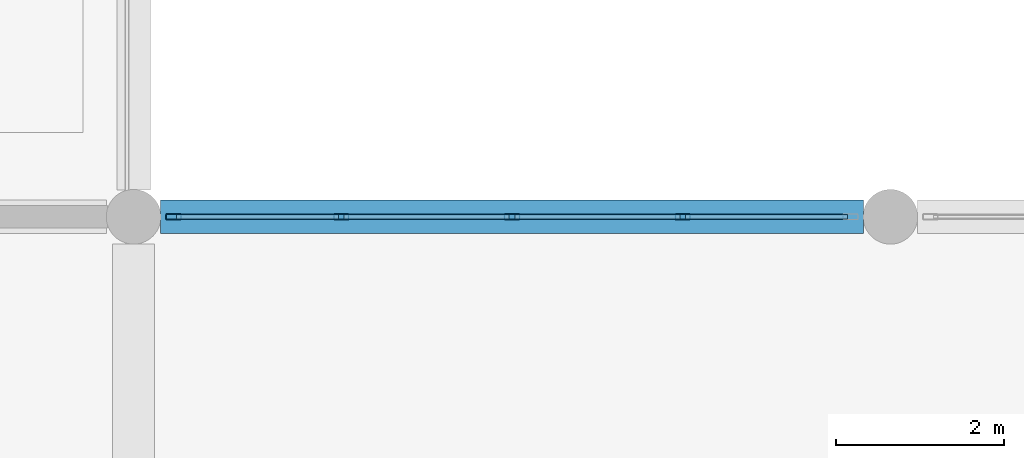
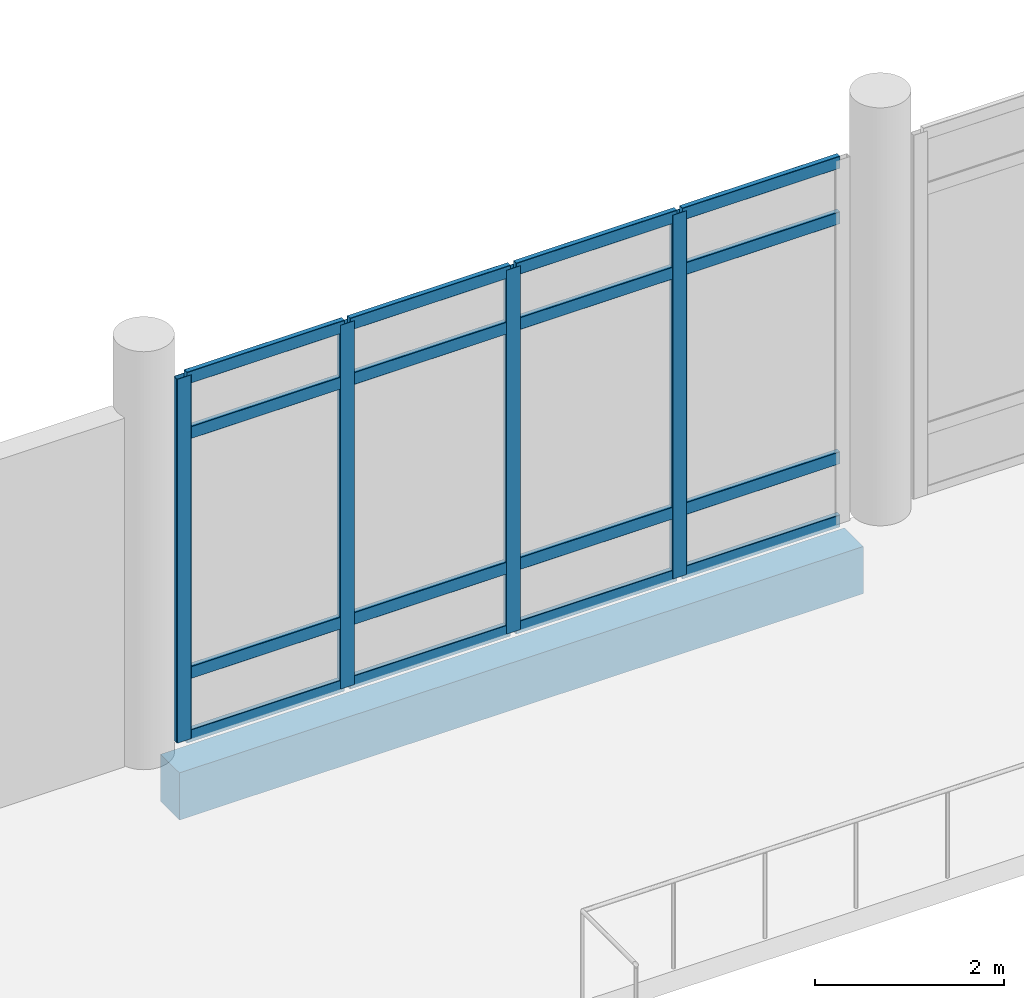
# One storey, part 37 of 180: 20 members, 1 beam, 1 element without a shape of its own.
"""IFC4 building model written with IfcOpenShell, lengths in metres."""

from ifc_helpers import new_model, si_unit, direction, frame, origin, origin_2d, place, context, subcontext, project, spatial, rectangle, hollow_rectangle, extrude, material, material_profile, profile_set, type_object, element, aggregate, save


model = new_model("IFC4")

# Units and contexts
model_context = context("Model", 3, precision=1e-05, world=origin(), true_north=direction((0.0, 1.0)))
body_context = subcontext(model_context, "Body", "Model", "MODEL_VIEW")
ifc_project = project(units=[si_unit("LENGTHUNIT", "METRE"), si_unit("AREAUNIT", "SQUARE_METRE"), si_unit("VOLUMEUNIT", "CUBIC_METRE"), si_unit("PLANEANGLEUNIT", "RADIAN"), si_unit("MASSUNIT", "GRAM", prefix="KILO")], contexts=[model_context])

# Site, building, storey
site_placement = place(None, origin())
site = spatial("IfcSite", under=ifc_project, at=site_placement, CompositionType="ELEMENT")
building_placement = place(site_placement, origin())
building = spatial("IfcBuilding", under=site, at=building_placement, Name="Lusvemor Sports Hall", CompositionType="ELEMENT")
storey_placement = place(building_placement, frame((0.0, 0.0, 5.39990234375)))
storey = spatial("IfcBuildingStorey", under=building, at=storey_placement, Name="L01", CompositionType="ELEMENT", Elevation=5.39990234375)

# Curtain wall, members
ifc_material_1 = material(Name="Thermally broken bronze-anodized aluminium", Category="aluminium")
curtain_wall_type = type_object("IfcCurtainWallType", Name="CW_FOYER_A", PredefinedType="NOTDEFINED", material=ifc_material_1)
curtain_wall_placement = place(storey_placement, origin())
curtain_wall = element("IfcCurtainWall", 1, at=curtain_wall_placement, inside=storey, type_object=curtain_wall_type, Name="Curtain Wall CW-V4N-L01-1", PredefinedType="NOTDEFINED")
ifc_material_2 = material(Name="Thermally broken bronze-anodized aluminium", Category="aluminium")
ifc_material_profile_1 = material_profile(ifc_material_2, hollow_rectangle(XDim=0.070068359375, YDim=0.179931640625, WallThickness=0.0048828125, InnerFilletRadius=0.0048828125, OuterFilletRadius=0.010009765625, at=origin_2d()), Name="CWMUL180x70x5")
ifc_profile_set_1 = profile_set([ifc_material_profile_1], Name="Thermally broken bronze-anodized aluminium")
member_type_1 = type_object("IfcMemberType", Name="CW_MUL_A", PredefinedType="MULLION", material=ifc_profile_set_1)
member_1_placement = place(storey_placement, frame((85.074951171875, 28.800048828125, 0.0), z_axis=(0.0, 0.0, 1.0), x_axis=(0.0, 1.0, 0.0)))
member_1 = element("IfcMember", 2, at=member_1_placement, type_object=member_type_1, Name="CW01 mullion 1", PredefinedType="MULLION", context=body_context, shape_type="SweptSolid", body=[
    extrude(hollow_rectangle(XDim=0.070068359375, YDim=0.179931640625, WallThickness=0.0048828125, InnerFilletRadius=0.0048828125, OuterFilletRadius=0.010009765625, at=origin_2d()), origin(), (0.0, 0.0, 1.0), 4.7001953125),
])
member_2_placement = place(storey_placement, frame((87.070068359375, 28.800048828125, 0.0), z_axis=(0.0, 0.0, 1.0), x_axis=(0.0, 1.0, 0.0)))
member_2 = element("IfcMember", 3, at=member_2_placement, type_object=member_type_1, Name="CW01 mullion 2", PredefinedType="MULLION", context=body_context, shape_type="SweptSolid", body=[
    extrude(hollow_rectangle(XDim=0.070068359375, YDim=0.179931640625, WallThickness=0.0048828125, InnerFilletRadius=0.0048828125, OuterFilletRadius=0.010009765625, at=origin_2d()), origin(), (0.0, 0.0, 1.0), 4.7001953125),
])
member_3_placement = place(storey_placement, frame((89.10009765625, 28.800048828125, 0.0), z_axis=(0.0, 0.0, 1.0), x_axis=(0.0, 1.0, 0.0)))
member_3 = element("IfcMember", 4, at=member_3_placement, type_object=member_type_1, Name="CW01 mullion 3", PredefinedType="MULLION", context=body_context, shape_type="SweptSolid", body=[
    extrude(hollow_rectangle(XDim=0.070068359375, YDim=0.179931640625, WallThickness=0.0048828125, InnerFilletRadius=0.0048828125, OuterFilletRadius=0.010009765625, at=origin_2d()), origin(), (0.0, 0.0, 1.0), 4.7001953125),
])
member_4_placement = place(storey_placement, frame((91.1298828125, 28.800048828125, 0.0), z_axis=(0.0, 0.0, 1.0), x_axis=(0.0, 1.0, 0.0)))
member_4 = element("IfcMember", 5, at=member_4_placement, type_object=member_type_1, Name="CW01 mullion 4", PredefinedType="MULLION", context=body_context, shape_type="SweptSolid", body=[
    extrude(hollow_rectangle(XDim=0.070068359375, YDim=0.179931640625, WallThickness=0.0048828125, InnerFilletRadius=0.0048828125, OuterFilletRadius=0.010009765625, at=origin_2d()), origin(), (0.0, 0.0, 1.0), 4.7001953125),
])
ifc_material_3 = material(Name="Thermally broken bronze-anodized aluminium", Category="aluminium")
ifc_material_profile_2 = material_profile(ifc_material_3, hollow_rectangle(XDim=0.06494140625, YDim=0.159912109375, WallThickness=0.00390625, InnerFilletRadius=0.00390625, OuterFilletRadius=0.008056640625, at=origin_2d()), Name="CWTRN160x65x4")
ifc_profile_set_2 = profile_set([ifc_material_profile_2], Name="Thermally broken bronze-anodized aluminium")
member_type_2 = type_object("IfcMemberType", Name="CW_TRN_A", PredefinedType="USERDEFINED", material=ifc_profile_set_2)
member_5_placement = place(storey_placement, frame((85.110107421875, 28.800048828125, 0.03271484375), z_axis=(1.0, 0.0, 0.0), x_axis=(0.0, 1.0, 0.0)))
member_5 = element("IfcMember", 6, at=member_5_placement, type_object=member_type_2, Name="CW01 transom 1.1", ObjectType="TRANSOM", PredefinedType="USERDEFINED", context=body_context, shape_type="SweptSolid", body=[
    extrude(hollow_rectangle(XDim=0.06494140625, YDim=0.159912109375, WallThickness=0.00390625, InnerFilletRadius=0.00390625, OuterFilletRadius=0.008056640625, at=origin_2d()), origin(), (0.0, 0.0, 1.0), 1.9248046875),
])
member_6_placement = place(storey_placement, frame((85.110107421875, 28.800048828125, 0.85009765625), z_axis=(1.0, 0.0, 0.0), x_axis=(0.0, 1.0, 0.0)))
member_6 = element("IfcMember", 7, at=member_6_placement, type_object=member_type_2, Name="CW01 transom 1.2", ObjectType="TRANSOM", PredefinedType="USERDEFINED", context=body_context, shape_type="SweptSolid", body=[
    extrude(hollow_rectangle(XDim=0.06494140625, YDim=0.159912109375, WallThickness=0.00390625, InnerFilletRadius=0.00390625, OuterFilletRadius=0.008056640625, at=origin_2d()), origin(), (0.0, 0.0, 1.0), 1.9248046875),
])
member_7_placement = place(storey_placement, frame((85.110107421875, 28.800048828125, 3.9501953125), z_axis=(1.0, 0.0, 0.0), x_axis=(0.0, 1.0, 0.0)))
member_7 = element("IfcMember", 8, at=member_7_placement, type_object=member_type_2, Name="CW01 transom 1.3", ObjectType="TRANSOM", PredefinedType="USERDEFINED", context=body_context, shape_type="SweptSolid", body=[
    extrude(hollow_rectangle(XDim=0.06494140625, YDim=0.159912109375, WallThickness=0.00390625, InnerFilletRadius=0.00390625, OuterFilletRadius=0.008056640625, at=origin_2d()), origin(), (0.0, 0.0, 1.0), 1.9248046875),
])
member_8_placement = place(storey_placement, frame((85.110107421875, 28.800048828125, 4.66748046875), z_axis=(1.0, 0.0, 0.0), x_axis=(0.0, 1.0, 0.0)))
member_8 = element("IfcMember", 9, at=member_8_placement, type_object=member_type_2, Name="CW01 transom 1.4", ObjectType="TRANSOM", PredefinedType="USERDEFINED", context=body_context, shape_type="SweptSolid", body=[
    extrude(hollow_rectangle(XDim=0.06494140625, YDim=0.159912109375, WallThickness=0.00390625, InnerFilletRadius=0.00390625, OuterFilletRadius=0.008056640625, at=origin_2d()), origin(), (0.0, 0.0, 1.0), 1.9248046875),
])
member_9_placement = place(storey_placement, frame((87.10498046875, 28.800048828125, 0.03271484375), z_axis=(1.0, 0.0, 0.0), x_axis=(0.0, 1.0, 0.0)))
member_9 = element("IfcMember", 10, at=member_9_placement, type_object=member_type_2, Name="CW01 transom 2.1", ObjectType="TRANSOM", PredefinedType="USERDEFINED", context=body_context, shape_type="SweptSolid", body=[
    extrude(hollow_rectangle(XDim=0.06494140625, YDim=0.159912109375, WallThickness=0.00390625, InnerFilletRadius=0.00390625, OuterFilletRadius=0.008056640625, at=origin_2d()), origin(), (0.0, 0.0, 1.0), 1.9599609375),
])
member_10_placement = place(storey_placement, frame((87.10498046875, 28.800048828125, 0.85009765625), z_axis=(1.0, 0.0, 0.0), x_axis=(0.0, 1.0, 0.0)))
member_10 = element("IfcMember", 11, at=member_10_placement, type_object=member_type_2, Name="CW01 transom 2.2", ObjectType="TRANSOM", PredefinedType="USERDEFINED", context=body_context, shape_type="SweptSolid", body=[
    extrude(hollow_rectangle(XDim=0.06494140625, YDim=0.159912109375, WallThickness=0.00390625, InnerFilletRadius=0.00390625, OuterFilletRadius=0.008056640625, at=origin_2d()), origin(), (0.0, 0.0, 1.0), 1.9599609375),
])
member_11_placement = place(storey_placement, frame((87.10498046875, 28.800048828125, 3.9501953125), z_axis=(1.0, 0.0, 0.0), x_axis=(0.0, 1.0, 0.0)))
member_11 = element("IfcMember", 12, at=member_11_placement, type_object=member_type_2, Name="CW01 transom 2.3", ObjectType="TRANSOM", PredefinedType="USERDEFINED", context=body_context, shape_type="SweptSolid", body=[
    extrude(hollow_rectangle(XDim=0.06494140625, YDim=0.159912109375, WallThickness=0.00390625, InnerFilletRadius=0.00390625, OuterFilletRadius=0.008056640625, at=origin_2d()), origin(), (0.0, 0.0, 1.0), 1.9599609375),
])
member_12_placement = place(storey_placement, frame((87.10498046875, 28.800048828125, 4.66748046875), z_axis=(1.0, 0.0, 0.0), x_axis=(0.0, 1.0, 0.0)))
member_12 = element("IfcMember", 13, at=member_12_placement, type_object=member_type_2, Name="CW01 transom 2.4", ObjectType="TRANSOM", PredefinedType="USERDEFINED", context=body_context, shape_type="SweptSolid", body=[
    extrude(hollow_rectangle(XDim=0.06494140625, YDim=0.159912109375, WallThickness=0.00390625, InnerFilletRadius=0.00390625, OuterFilletRadius=0.008056640625, at=origin_2d()), origin(), (0.0, 0.0, 1.0), 1.9599609375),
])
member_13_placement = place(storey_placement, frame((89.135009765625, 28.800048828125, 0.03271484375), z_axis=(1.0, 0.0, 0.0), x_axis=(0.0, 1.0, 0.0)))
member_13 = element("IfcMember", 14, at=member_13_placement, type_object=member_type_2, Name="CW01 transom 3.1", ObjectType="TRANSOM", PredefinedType="USERDEFINED", context=body_context, shape_type="SweptSolid", body=[
    extrude(hollow_rectangle(XDim=0.06494140625, YDim=0.159912109375, WallThickness=0.00390625, InnerFilletRadius=0.00390625, OuterFilletRadius=0.008056640625, at=origin_2d()), origin(), (0.0, 0.0, 1.0), 1.9599609375),
])
member_14_placement = place(storey_placement, frame((89.135009765625, 28.800048828125, 0.85009765625), z_axis=(1.0, 0.0, 0.0), x_axis=(0.0, 1.0, 0.0)))
member_14 = element("IfcMember", 15, at=member_14_placement, type_object=member_type_2, Name="CW01 transom 3.2", ObjectType="TRANSOM", PredefinedType="USERDEFINED", context=body_context, shape_type="SweptSolid", body=[
    extrude(hollow_rectangle(XDim=0.06494140625, YDim=0.159912109375, WallThickness=0.00390625, InnerFilletRadius=0.00390625, OuterFilletRadius=0.008056640625, at=origin_2d()), origin(), (0.0, 0.0, 1.0), 1.9599609375),
])
member_15_placement = place(storey_placement, frame((89.135009765625, 28.800048828125, 3.9501953125), z_axis=(1.0, 0.0, 0.0), x_axis=(0.0, 1.0, 0.0)))
member_15 = element("IfcMember", 16, at=member_15_placement, type_object=member_type_2, Name="CW01 transom 3.3", ObjectType="TRANSOM", PredefinedType="USERDEFINED", context=body_context, shape_type="SweptSolid", body=[
    extrude(hollow_rectangle(XDim=0.06494140625, YDim=0.159912109375, WallThickness=0.00390625, InnerFilletRadius=0.00390625, OuterFilletRadius=0.008056640625, at=origin_2d()), origin(), (0.0, 0.0, 1.0), 1.9599609375),
])
member_16_placement = place(storey_placement, frame((89.135009765625, 28.800048828125, 4.66748046875), z_axis=(1.0, 0.0, 0.0), x_axis=(0.0, 1.0, 0.0)))
member_16 = element("IfcMember", 17, at=member_16_placement, type_object=member_type_2, Name="CW01 transom 3.4", ObjectType="TRANSOM", PredefinedType="USERDEFINED", context=body_context, shape_type="SweptSolid", body=[
    extrude(hollow_rectangle(XDim=0.06494140625, YDim=0.159912109375, WallThickness=0.00390625, InnerFilletRadius=0.00390625, OuterFilletRadius=0.008056640625, at=origin_2d()), origin(), (0.0, 0.0, 1.0), 1.9599609375),
])
member_17_placement = place(storey_placement, frame((91.1650390625, 28.800048828125, 0.03271484375), z_axis=(1.0, 0.0, 0.0), x_axis=(0.0, 1.0, 0.0)))
member_17 = element("IfcMember", 18, at=member_17_placement, type_object=member_type_2, Name="CW01 transom 4.1", ObjectType="TRANSOM", PredefinedType="USERDEFINED", context=body_context, shape_type="SweptSolid", body=[
    extrude(hollow_rectangle(XDim=0.06494140625, YDim=0.159912109375, WallThickness=0.00390625, InnerFilletRadius=0.00390625, OuterFilletRadius=0.008056640625, at=origin_2d()), origin(), (0.0, 0.0, 1.0), 1.925048828125),
])
member_18_placement = place(storey_placement, frame((91.1650390625, 28.800048828125, 0.85009765625), z_axis=(1.0, 0.0, 0.0), x_axis=(0.0, 1.0, 0.0)))
member_18 = element("IfcMember", 19, at=member_18_placement, type_object=member_type_2, Name="CW01 transom 4.2", ObjectType="TRANSOM", PredefinedType="USERDEFINED", context=body_context, shape_type="SweptSolid", body=[
    extrude(hollow_rectangle(XDim=0.06494140625, YDim=0.159912109375, WallThickness=0.00390625, InnerFilletRadius=0.00390625, OuterFilletRadius=0.008056640625, at=origin_2d()), origin(), (0.0, 0.0, 1.0), 1.925048828125),
])
member_19_placement = place(storey_placement, frame((91.1650390625, 28.800048828125, 3.9501953125), z_axis=(1.0, 0.0, 0.0), x_axis=(0.0, 1.0, 0.0)))
member_19 = element("IfcMember", 20, at=member_19_placement, type_object=member_type_2, Name="CW01 transom 4.3", ObjectType="TRANSOM", PredefinedType="USERDEFINED", context=body_context, shape_type="SweptSolid", body=[
    extrude(hollow_rectangle(XDim=0.06494140625, YDim=0.159912109375, WallThickness=0.00390625, InnerFilletRadius=0.00390625, OuterFilletRadius=0.008056640625, at=origin_2d()), origin(), (0.0, 0.0, 1.0), 1.925048828125),
])
member_20_placement = place(storey_placement, frame((91.1650390625, 28.800048828125, 4.66748046875), z_axis=(1.0, 0.0, 0.0), x_axis=(0.0, 1.0, 0.0)))
member_20 = element("IfcMember", 21, at=member_20_placement, type_object=member_type_2, Name="CW01 transom 4.4", ObjectType="TRANSOM", PredefinedType="USERDEFINED", context=body_context, shape_type="SweptSolid", body=[
    extrude(hollow_rectangle(XDim=0.06494140625, YDim=0.159912109375, WallThickness=0.00390625, InnerFilletRadius=0.00390625, OuterFilletRadius=0.008056640625, at=origin_2d()), origin(), (0.0, 0.0, 1.0), 1.925048828125),
])
aggregate(curtain_wall, [member_1, member_2, member_3, member_4, member_5, member_6, member_7, member_8, member_9, member_10, member_11, member_12, member_13, member_14, member_15, member_16, member_17, member_18, member_19, member_20])

# Beam
ifc_material_4 = material(Name="Concrete C40/50", Category="concrete")
ifc_material_profile_3 = material_profile(ifc_material_4, rectangle(XDim=0.39990234375, YDim=0.610107421875, at=origin_2d()), Name="RC400x610")
ifc_profile_set_3 = profile_set([ifc_material_profile_3], Name="Concrete C40/50")
beam_type = type_object("IfcBeamType", Name="SPAND_EXT_650", PredefinedType="SPANDREL", material=ifc_profile_set_3)
beam_placement = place(storey_placement, frame((84.9208984375, 28.800048828125, -0.56494140625), z_axis=(1.0, 0.0, 0.0), x_axis=(0.0, 1.0, 0.0)))
element("IfcBeam", 22, at=beam_placement, inside=storey, type_object=beam_type, Name="Beam L01 D:9-10", PredefinedType="SPANDREL", context=body_context, shape_type="SweptSolid", body=[
    extrude(rectangle(XDim=0.39990234375, YDim=0.610107421875, at=origin_2d()), origin(), (0.0, 0.0, 1.0), 8.358154296875),
])

save(model, "model.ifc")
